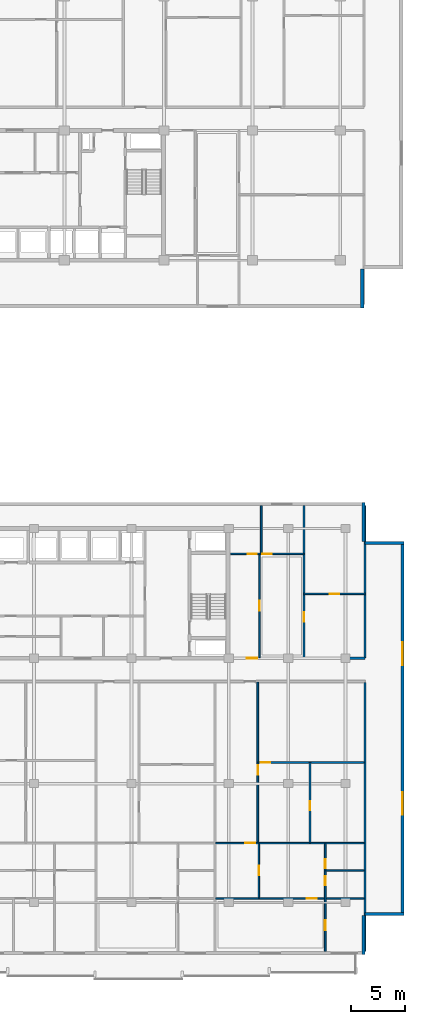
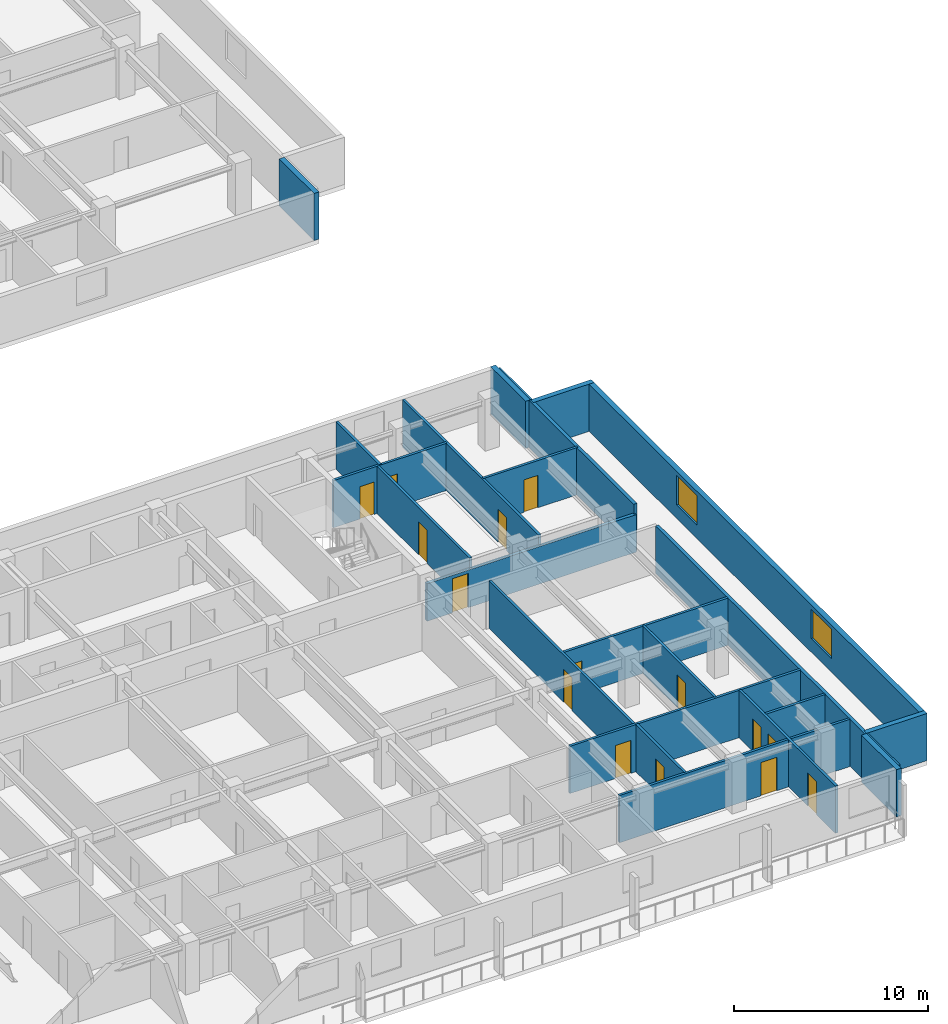
# One storey, part 10 of 22: 22 walls, 15 doors, 2 windows, 17 openings.
"""IFC4 building model written with IfcOpenShell, lengths in metres."""

from ifc_helpers import new_model, si_unit, direction, frame, frame_2d, origin, place, context, subcontext, project, spatial, rectangle, extrude, material, layer, layer_set, type_object, element, fill, save


model = new_model("IFC4")

# Units and contexts
model_context = context("Model", 3, precision=1e-05, world=origin(), true_north=direction((0.0, 1.0)))
body_context = subcontext(model_context, "Body", "Model", "MODEL_VIEW")
ifc_project = project(units=[si_unit("LENGTHUNIT", "METRE"), si_unit("AREAUNIT", "SQUARE_METRE"), si_unit("VOLUMEUNIT", "CUBIC_METRE"), si_unit("PLANEANGLEUNIT", "RADIAN"), si_unit("MASSUNIT", "GRAM", prefix="KILO")], contexts=[model_context])

# Site, building, storey
site_placement = place(None, origin())
site = spatial("IfcSite", under=ifc_project, at=site_placement, CompositionType="ELEMENT")
building_placement = place(site_placement, origin())
building = spatial("IfcBuilding", under=site, at=building_placement, Name="Korimba Cascade Residences", CompositionType="ELEMENT")
storey_placement = place(building_placement, frame((0.0, 0.0, 90.550048828125)))
storey = spatial("IfcBuildingStorey", under=building, at=storey_placement, Name="L25", CompositionType="ELEMENT", Elevation=90.550048828125)

# Walls
ifc_material_1 = material(Name="Precast concrete C40/50", Category="concrete")
ifc_layer_1 = layer(ifc_material_1, 0.300048828125)
ifc_layer_set_1 = layer_set([ifc_layer_1], Name="Precast concrete C40/50")
wall_type_1 = type_object("IfcWallType", Name="EW-STONE-300", PredefinedType="STANDARD", material=ifc_layer_set_1)
wall_1_placement = place(storey_placement, frame((130.449951171875, 50.800048828125, 0.0), z_axis=(0.0, 0.0, 1.0), x_axis=(0.0, 1.0, 0.0)))
element("IfcWall", 1, at=wall_1_placement, inside=storey, type_object=wall_type_1, Name="L25 T1 Perimeter Stone Wall E01", PredefinedType="STANDARD", context=body_context, shape_type="SweptSolid", body=[
    extrude(rectangle(XDim=3.599853515625, YDim=0.300048828125, at=frame_2d((1.7998046875, 0.0))), origin(), (0.0, 0.0, 1.0), 2.969970703125),
])
for number, where, z_axis, x_axis, name in (
    (2, (130.550048828125, -9.0, 0.0), (0.0, 0.0, 1.0), (0.0, 1.0, 0.0), "L25 T2 Perimeter Stone Wall E01"),
    (3, (130.699951171875, -5.25, 0.0), (0.0, 0.0, 1.0), (1.0, 0.0, 0.0), "L25 T2 Perimeter Stone Wall E02"),
):
    element("IfcWall", number, at=place(storey_placement, frame(where, z_axis=z_axis, x_axis=x_axis)), inside=storey, type_object=wall_type_1, Name=name, PredefinedType="STANDARD", context=body_context, shape_type="SweptSolid", body=[
        extrude(rectangle(XDim=3.60009765625, YDim=0.300048828125, at=frame_2d((1.800048828125, 0.0))), origin(), (0.0, 0.0, 1.0), 2.969970703125),
    ])

# Wall, openings, windows
wall_2_placement = place(storey_placement, frame((134.14990234375, -5.39990234375, 0.0), z_axis=(0.0, 0.0, 1.0), x_axis=(0.0, 1.0, 0.0)))
wall_2 = element("IfcWall", 4, at=wall_2_placement, inside=storey, type_object=wall_type_1, Name="L25 T2 Perimeter Stone Wall E03", PredefinedType="STANDARD", context=body_context, shape_type="SweptSolid", body=[
    extrude(rectangle(XDim=34.599853515625, YDim=0.300048828125, at=frame_2d((17.2998046875, 0.0))), origin(), (0.0, 0.0, 1.0), 2.969970703125),
])
opening_1_placement = place(wall_2_placement, frame((9.330078125, 0.0, 0.85009765625)))
opening_1 = element("IfcOpeningElement", 5, at=opening_1_placement, cuts=wall_2, Name="Opening W-03", PredefinedType="OPENING", context=body_context, shape_type="SweptSolid", body=[
    extrude(rectangle(XDim=2.10009765625, YDim=1.85009765625, at=frame_2d((1.050048828125, 0.925048828125))), frame((0.0, 0.16015625, 0.0), z_axis=(0.0, -1.0, 0.0), x_axis=(1.0, 0.0, 0.0)), (0.0, 0.0, 1.0), 0.320068359375),
])
opening_2_placement = place(wall_2_placement, frame((23.169921875, 0.0, 0.85009765625)))
opening_2 = element("IfcOpeningElement", 6, at=opening_2_placement, cuts=wall_2, Name="Opening W-03", PredefinedType="OPENING", context=body_context, shape_type="SweptSolid", body=[
    extrude(rectangle(XDim=2.10009765625, YDim=1.85009765625, at=frame_2d((1.050048828125, 0.925048828125))), frame((0.0, 0.16015625, 0.0), z_axis=(0.0, -1.0, 0.0), x_axis=(1.0, 0.0, 0.0)), (0.0, 0.0, 1.0), 0.320068359375),
])
ifc_material_2 = material(Name="Double-Glazed Aluminium Window", Category="aluminium")
window_type = type_object("IfcWindowType", Name="WIN-CRN-2100", PartitioningType="DOUBLE_PANEL_HORIZONTAL", PredefinedType="WINDOW", material=ifc_material_2)
window_1_placement = place(opening_1_placement, origin())
window_1 = element("IfcWindow", 7, at=window_1_placement, inside=storey, type_object=window_type, Name="L25 T2 End View Window 3.1", OverallHeight=1.85009765625, OverallWidth=2.10009765625, PartitioningType="DOUBLE_PANEL_HORIZONTAL", PredefinedType="WINDOW", context=body_context, shape_type="SweptSolid", body=[
    extrude(rectangle(XDim=2.10009765625, YDim=1.85009765625, at=frame_2d((1.050048828125, 0.925048828125))), frame((0.0, 0.030029296875, 0.0), z_axis=(0.0, -1.0, 0.0), x_axis=(1.0, 0.0, 0.0)), (0.0, 0.0, 1.0), 0.06005859375),
])
fill(opening_1, window_1)
window_2_placement = place(opening_2_placement, origin())
window_2 = element("IfcWindow", 8, at=window_2_placement, inside=storey, type_object=window_type, Name="L25 T2 End View Window 3.2", OverallHeight=1.85009765625, OverallWidth=2.10009765625, PartitioningType="DOUBLE_PANEL_HORIZONTAL", PredefinedType="WINDOW", context=body_context, shape_type="SweptSolid", body=[
    extrude(rectangle(XDim=2.10009765625, YDim=1.85009765625, at=frame_2d((1.050048828125, 0.925048828125))), frame((0.0, 0.030029296875, 0.0), z_axis=(0.0, -1.0, 0.0), x_axis=(1.0, 0.0, 0.0)), (0.0, 0.0, 1.0), 0.06005859375),
])
fill(opening_2, window_2)

# Walls
for number, where, z_axis, x_axis, name in (
    (9, (134.300048828125, 29.050048828125, 0.0), (0.0, 0.0, 1.0), (-1.0, 0.0, 0.0), "L25 T2 Perimeter Stone Wall E04"),
    (10, (130.550048828125, 29.199951171875, 0.0), (0.0, 0.0, 1.0), (0.0, 1.0, 0.0), "L25 T2 Perimeter Stone Wall E05"),
):
    element("IfcWall", number, at=place(storey_placement, frame(where, z_axis=z_axis, x_axis=x_axis)), inside=storey, type_object=wall_type_1, Name=name, PredefinedType="STANDARD", context=body_context, shape_type="SweptSolid", body=[
        extrude(rectangle(XDim=3.60009765625, YDim=0.300048828125, at=frame_2d((1.800048828125, 0.0))), origin(), (0.0, 0.0, 1.0), 2.969970703125),
    ])
ifc_layer_2 = layer(ifc_material_1, 0.199951171875)
ifc_layer_set_2 = layer_set([ifc_layer_2], Name="Precast concrete C40/50")
wall_type_2 = type_object("IfcWallType", Name="WAL-IT-200", PredefinedType="PARTITIONING", material=ifc_layer_set_2)
wall_3_placement = place(storey_placement, frame((130.699951171875, 18.39990234375, 0.0), z_axis=(0.0, 0.0, 1.0), x_axis=(0.0, 1.0, 0.0)))
element("IfcWall", 11, at=wall_3_placement, inside=storey, type_object=wall_type_2, Name="L25 Partition Wall WAL-L25-T2-FE-WR", PredefinedType="PARTITIONING", context=body_context, shape_type="SweptSolid", body=[
    extrude(rectangle(XDim=14.10009765625, YDim=0.199951171875, at=frame_2d((7.050048828125, 0.0))), origin(), (0.0, 0.0, 1.0), 2.969970703125),
])

# Wall, opening, door
wall_4_placement = place(storey_placement, frame((118.25, 18.39990234375, 0.0), z_axis=(0.0, 0.0, 1.0), x_axis=(1.0, 0.0, 0.0)))
wall_4 = element("IfcWall", 12, at=wall_4_placement, inside=storey, type_object=wall_type_2, Name="L25 Partition Wall WAL-L25-T2-FE-S", PredefinedType="PARTITIONING", context=body_context, shape_type="SweptSolid", body=[
    extrude(rectangle(XDim=12.449951171875, YDim=0.199951171875, at=frame_2d((6.22509765625, 0.0))), origin(), (0.0, 0.0, 1.0), 2.357666015625),
])
opening_3_placement = place(wall_4_placement, frame((1.510009765625, 0.0, 0.0)))
opening_3 = element("IfcOpeningElement", 13, at=opening_3_placement, cuts=wall_4, Name="Opening D-UN1", PredefinedType="OPENING", context=body_context, shape_type="SweptSolid", body=[
    extrude(rectangle(XDim=0.949951171875, YDim=2.14990234375, at=frame_2d((0.47509765625, 1.074951171875))), frame((0.0, 0.10986328125, 0.0), z_axis=(0.0, -1.0, 0.0), x_axis=(1.0, 0.0, 0.0)), (0.0, 0.0, 1.0), 0.219970703125),
])
ifc_material_3 = material(Name="Fire-Rated Hardwood Apartment Entrance Door", Category="wood")
door_type_1 = type_object("IfcDoorType", Name="DR-FD60-950", OperationType="NOTDEFINED", PredefinedType="DOOR", material=ifc_material_3)
door_1_placement = place(opening_3_placement, origin())
door_1 = element("IfcDoor", 14, at=door_1_placement, inside=storey, type_object=door_type_1, Name="L25-T2-FE Entrance Door", OperationType="SINGLE_SWING_RIGHT", OverallHeight=2.14990234375, OverallWidth=0.949951171875, PredefinedType="DOOR", context=body_context, shape_type="SweptSolid", body=[
    extrude(rectangle(XDim=0.949951171875, YDim=2.14990234375, at=frame_2d((0.47509765625, 1.074951171875))), frame((0.0, 0.02490234375, 0.0), z_axis=(0.0, -1.0, 0.0), x_axis=(1.0, 0.0, 0.0)), (0.0, 0.0, 1.0), 0.050048828125),
])
fill(opening_3, door_1)

# Wall
wall_5_placement = place(storey_placement, frame((130.699951171875, -8.699951171875, 0.0), z_axis=(0.0, 0.0, 1.0), x_axis=(0.0, 1.0, 0.0)))
element("IfcWall", 15, at=wall_5_placement, inside=storey, type_object=wall_type_2, Name="L25 Partition Wall WAL-L25-T2-BNDWR", PredefinedType="PARTITIONING", context=body_context, shape_type="SweptSolid", body=[
    extrude(rectangle(XDim=24.869873046875, YDim=0.199951171875, at=frame_2d((12.43505859375, 0.0))), origin(), (0.0, 0.0, 1.0), 2.969970703125),
])

# Wall, opening, door
ifc_material_4 = material(Name="Insulated Acoustic Stud Partition", Category="gypsum")
ifc_layer_3 = layer(ifc_material_4, 0.14990234375)
ifc_layer_set_3 = layer_set([ifc_layer_3], Name="Insulated Acoustic Stud Partition")
wall_type_3 = type_object("IfcWallType", Name="WAL-PART-150", PredefinedType="PARTITIONING", material=ifc_layer_set_3)
wall_6_placement = place(storey_placement, frame((125.050048828125, 24.35009765625, 0.0), z_axis=(0.0, 0.0, 1.0), x_axis=(1.0, 0.0, 0.0)))
wall_6 = element("IfcWall", 16, at=wall_6_placement, inside=storey, type_object=wall_type_3, Name="L25 Partition Wall WAL-L25-T2-FE-STH", PredefinedType="PARTITIONING", context=body_context, shape_type="SweptSolid", body=[
    extrude(rectangle(XDim=5.64990234375, YDim=0.14990234375, at=frame_2d((2.824951171875, 0.0))), origin(), (0.0, 0.0, 1.0), 2.969970703125),
])
opening_4_placement = place(wall_6_placement, frame((2.405029296875, 0.0, 0.0)))
opening_4 = element("IfcOpeningElement", 17, at=opening_4_placement, cuts=wall_6, Name="Opening D-BT1", PredefinedType="OPENING", context=body_context, shape_type="SweptSolid", body=[
    extrude(rectangle(XDim=0.840087890625, YDim=2.0400390625, at=frame_2d((0.419921875, 1.02001953125))), frame((0.0, 0.0849609375, 0.0), z_axis=(0.0, -1.0, 0.0), x_axis=(1.0, 0.0, 0.0)), (0.0, 0.0, 1.0), 0.169921875),
])
ifc_material_5 = material(Name="Moisture-Resistant Bathroom Timber Door", Category="wood")
door_type_2 = type_object("IfcDoorType", Name="DR-INT-850", OperationType="NOTDEFINED", PredefinedType="DOOR", material=ifc_material_5)
door_2_placement = place(opening_4_placement, origin())
door_2 = element("IfcDoor", 18, at=door_2_placement, inside=storey, type_object=door_type_2, Name="L25-T2-FE Dressing Store Door", OperationType="SINGLE_SWING_LEFT", OverallHeight=2.0400390625, OverallWidth=0.840087890625, PredefinedType="DOOR", context=body_context, shape_type="SweptSolid", body=[
    extrude(rectangle(XDim=0.840087890625, YDim=2.0400390625, at=frame_2d((0.419921875, 1.02001953125))), frame((0.0, 0.02490234375, 0.0), z_axis=(0.0, -1.0, 0.0), x_axis=(1.0, 0.0, 0.0)), (0.0, 0.0, 1.0), 0.050048828125),
])
fill(opening_4, door_2)

wall_7_placement = place(storey_placement, frame((125.050048828125, 18.449951171875, 0.0), z_axis=(0.0, 0.0, 1.0), x_axis=(0.0, 1.0, 0.0)))
wall_7 = element("IfcWall", 19, at=wall_7_placement, inside=storey, type_object=wall_type_3, Name="L25 Partition Wall WAL-L25-T2-FE-STV", PredefinedType="PARTITIONING", context=body_context, shape_type="SweptSolid", body=[
    extrude(rectangle(XDim=14.050048828125, YDim=0.14990234375, at=frame_2d((7.02490234375, 0.0))), origin(), (0.0, 0.0, 1.0), 2.969970703125),
])
opening_5_placement = place(wall_7_placement, frame((3.320068359375, 0.0, 0.0)))
opening_5 = element("IfcOpeningElement", 20, at=opening_5_placement, cuts=wall_7, Name="Opening D-IN2", PredefinedType="OPENING", context=body_context, shape_type="SweptSolid", body=[
    extrude(rectangle(XDim=0.8798828125, YDim=2.06005859375, at=frame_2d((0.43994140625, 1.030029296875))), frame((0.0, 0.0849609375, 0.0), z_axis=(0.0, -1.0, 0.0), x_axis=(1.0, 0.0, 0.0)), (0.0, 0.0, 1.0), 0.169921875),
])
ifc_material_6 = material(Name="Acoustic Timber Bedroom Door", Category="wood")
door_type_3 = type_object("IfcDoorType", Name="DR-INT-880", OperationType="NOTDEFINED", PredefinedType="DOOR", material=ifc_material_6)
door_3_placement = place(opening_5_placement, origin())
door_3 = element("IfcDoor", 21, at=door_3_placement, inside=storey, type_object=door_type_3, Name="L25-T2-FE Study Door", OperationType="SINGLE_SWING_RIGHT", OverallHeight=2.06005859375, OverallWidth=0.8798828125, PredefinedType="DOOR", context=body_context, shape_type="SweptSolid", body=[
    extrude(rectangle(XDim=0.8798828125, YDim=2.06005859375, at=frame_2d((0.43994140625, 1.030029296875))), frame((0.0, 0.02490234375, 0.0), z_axis=(0.0, -1.0, 0.0), x_axis=(1.0, 0.0, 0.0)), (0.0, 0.0, 1.0), 0.050048828125),
])
fill(opening_5, door_3)

wall_8_placement = place(storey_placement, frame((120.929931640625, 18.449951171875, 0.0), z_axis=(0.0, 0.0, 1.0), x_axis=(0.0, 1.0, 0.0)))
wall_8 = element("IfcWall", 22, at=wall_8_placement, inside=storey, type_object=wall_type_3, Name="L25 Partition Wall WAL-L25-T2-FE-VS", PredefinedType="PARTITIONING", context=body_context, shape_type="SweptSolid", body=[
    extrude(rectangle(XDim=9.60009765625, YDim=0.14990234375, at=frame_2d((4.800048828125, 0.0))), origin(), (0.0, 0.0, 1.0), 2.969970703125),
])
opening_6_placement = place(wall_8_placement, frame((4.340087890625, 0.0, 0.0)))
opening_6 = element("IfcOpeningElement", 23, at=opening_6_placement, cuts=wall_8, Name="Opening D-IN1", PredefinedType="OPENING", context=body_context, shape_type="SweptSolid", body=[
    extrude(rectangle(XDim=0.919921875, YDim=2.080078125, at=frame_2d((0.4599609375, 1.0400390625))), frame((0.0, 0.0849609375, 0.0), z_axis=(0.0, -1.0, 0.0), x_axis=(1.0, 0.0, 0.0)), (0.0, 0.0, 1.0), 0.169921875),
])
ifc_material_7 = material(Name="Acoustic Timber Living Door", Category="wood")
door_type_4 = type_object("IfcDoorType", Name="DR-INT-920", OperationType="NOTDEFINED", PredefinedType="DOOR", material=ifc_material_7)
door_4_placement = place(opening_6_placement, origin())
door_4 = element("IfcDoor", 24, at=door_4_placement, inside=storey, type_object=door_type_4, Name="L25-T2-FE Living Door", OperationType="SINGLE_SWING_LEFT", OverallHeight=2.080078125, OverallWidth=0.919921875, PredefinedType="DOOR", context=body_context, shape_type="SweptSolid", body=[
    extrude(rectangle(XDim=0.919921875, YDim=2.080078125, at=frame_2d((0.4599609375, 1.0400390625))), frame((0.0, 0.02490234375, 0.0), z_axis=(0.0, -1.0, 0.0), x_axis=(1.0, 0.0, 0.0)), (0.0, 0.0, 1.0), 0.050048828125),
])
fill(opening_6, door_4)

# Wall
wall_9_placement = place(storey_placement, frame((121.10009765625, 28.050048828125, 0.0), z_axis=(0.0, 0.0, 1.0), x_axis=(0.0, 1.0, 0.0)))
element("IfcWall", 25, at=wall_9_placement, inside=storey, type_object=wall_type_3, Name="L25 Partition Wall WAL-L25-T2-FE-VN", PredefinedType="PARTITIONING", context=body_context, shape_type="SweptSolid", body=[
    extrude(rectangle(XDim=4.449951171875, YDim=0.14990234375, at=frame_2d((2.22509765625, 0.0))), origin(), (0.0, 0.0, 1.0), 2.969970703125),
])

# Wall, openings, doors
wall_10_placement = place(storey_placement, frame((118.27001953125, 28.050048828125, 0.0), z_axis=(0.0, 0.0, 1.0), x_axis=(1.0, 0.0, 0.0)))
wall_10 = element("IfcWall", 26, at=wall_10_placement, inside=storey, type_object=wall_type_3, Name="L25 Partition Wall WAL-L25-T2-FE-H", PredefinedType="PARTITIONING", context=body_context, shape_type="SweptSolid", body=[
    extrude(rectangle(XDim=6.760009765625, YDim=0.14990234375, at=frame_2d((3.3798828125, 0.0))), origin(), (0.0, 0.0, 1.0), 2.969970703125),
])
opening_7_placement = place(wall_10_placement, frame((1.58740234375, 0.0, 0.0)))
opening_7 = element("IfcOpeningElement", 27, at=opening_7_placement, cuts=wall_10, Name="Opening D-BT1", PredefinedType="OPENING", context=body_context, shape_type="SweptSolid", body=[
    extrude(rectangle(XDim=0.840087890625, YDim=2.0400390625, at=frame_2d((0.419921875, 1.02001953125))), frame((0.0, 0.0849609375, 0.0), z_axis=(0.0, -1.0, 0.0), x_axis=(1.0, 0.0, 0.0)), (0.0, 0.0, 1.0), 0.169921875),
])
opening_8_placement = place(wall_10_placement, frame((2.93994140625, 0.0, 0.0)))
opening_8 = element("IfcOpeningElement", 28, at=opening_8_placement, cuts=wall_10, Name="Opening D-IN2", PredefinedType="OPENING", context=body_context, shape_type="SweptSolid", body=[
    extrude(rectangle(XDim=0.8798828125, YDim=2.06005859375, at=frame_2d((0.43994140625, 1.030029296875))), frame((0.0, 0.0849609375, 0.0), z_axis=(0.0, -1.0, 0.0), x_axis=(1.0, 0.0, 0.0)), (0.0, 0.0, 1.0), 0.169921875),
])
door_5_placement = place(opening_7_placement, origin())
door_5 = element("IfcDoor", 29, at=door_5_placement, inside=storey, type_object=door_type_2, Name="L25-T2-FE Bathroom Door", OperationType="SINGLE_SWING_RIGHT", OverallHeight=2.0400390625, OverallWidth=0.840087890625, PredefinedType="DOOR", context=body_context, shape_type="SweptSolid", body=[
    extrude(rectangle(XDim=0.840087890625, YDim=2.0400390625, at=frame_2d((0.419921875, 1.02001953125))), frame((0.0, 0.02490234375, 0.0), z_axis=(0.0, -1.0, 0.0), x_axis=(1.0, 0.0, 0.0)), (0.0, 0.0, 1.0), 0.050048828125),
])
fill(opening_7, door_5)
door_6_placement = place(opening_8_placement, origin())
door_6 = element("IfcDoor", 30, at=door_6_placement, inside=storey, type_object=door_type_3, Name="L25-T2-FE Bedroom Door", OperationType="SINGLE_SWING_LEFT", OverallHeight=2.06005859375, OverallWidth=0.8798828125, PredefinedType="DOOR", context=body_context, shape_type="SweptSolid", body=[
    extrude(rectangle(XDim=0.8798828125, YDim=2.06005859375, at=frame_2d((0.43994140625, 1.030029296875))), frame((0.0, 0.02490234375, 0.0), z_axis=(0.0, -1.0, 0.0), x_axis=(1.0, 0.0, 0.0)), (0.0, 0.0, 1.0), 0.050048828125),
])
fill(opening_8, door_6)

# Wall, opening, door
wall_11_placement = place(storey_placement, frame((125.611083984375, 1.340087890625, 0.0), z_axis=(0.0, 0.0, 1.0), x_axis=(0.0, 1.0, 0.0)))
wall_11 = element("IfcWall", 31, at=wall_11_placement, inside=storey, type_object=wall_type_3, Name="L25 Partition Wall WAL-L25-T2-U04-FMV", PredefinedType="PARTITIONING", context=body_context, shape_type="SweptSolid", body=[
    extrude(rectangle(XDim=7.4248046875, YDim=0.14990234375, at=frame_2d((3.71240234375, 0.0))), origin(), (0.0, 0.0, 1.0), 2.969970703125),
])
opening_9_placement = place(wall_11_placement, frame((2.9833984375, 0.0, 0.0)))
opening_9 = element("IfcOpeningElement", 32, at=opening_9_placement, cuts=wall_11, Name="Opening D-BT1", PredefinedType="OPENING", context=body_context, shape_type="SweptSolid", body=[
    extrude(rectangle(XDim=0.840087890625, YDim=2.0400390625, at=frame_2d((0.419921875, 1.02001953125))), frame((0.0, 0.0849609375, 0.0), z_axis=(0.0, -1.0, 0.0), x_axis=(1.0, 0.0, 0.0)), (0.0, 0.0, 1.0), 0.169921875),
])
door_7_placement = place(opening_9_placement, origin())
door_7 = element("IfcDoor", 33, at=door_7_placement, inside=storey, type_object=door_type_2, Name="L25-T2-U04 Wardrobe Door", OperationType="SINGLE_SWING_RIGHT", OverallHeight=2.0400390625, OverallWidth=0.840087890625, PredefinedType="DOOR", context=body_context, shape_type="SweptSolid", body=[
    extrude(rectangle(XDim=0.840087890625, YDim=2.0400390625, at=frame_2d((0.419921875, 1.02001953125))), frame((0.0, 0.02490234375, 0.0), z_axis=(0.0, -1.0, 0.0), x_axis=(1.0, 0.0, 0.0)), (0.0, 0.0, 1.0), 0.050048828125),
])
fill(opening_9, door_7)

wall_12_placement = place(storey_placement, frame((120.84228515625, 8.764892578125, 0.0), z_axis=(0.0, 0.0, 1.0), x_axis=(1.0, 0.0, 0.0)))
wall_12 = element("IfcWall", 34, at=wall_12_placement, inside=storey, type_object=wall_type_3, Name="L25 Partition Wall WAL-L25-T2-U04-FMH", PredefinedType="PARTITIONING", context=body_context, shape_type="SweptSolid", body=[
    extrude(rectangle(XDim=9.77783203125, YDim=0.14990234375, at=frame_2d((4.888916015625, 0.0))), origin(), (0.0, 0.0, 1.0), 2.969970703125),
])
opening_10_placement = place(wall_12_placement, frame((0.199951171875, 0.0, 0.0)))
opening_10 = element("IfcOpeningElement", 35, at=opening_10_placement, cuts=wall_12, Name="Opening D-IN2", PredefinedType="OPENING", context=body_context, shape_type="SweptSolid", body=[
    extrude(rectangle(XDim=0.8798828125, YDim=2.06005859375, at=frame_2d((0.43994140625, 1.030029296875))), frame((0.0, 0.0849609375, 0.0), z_axis=(0.0, -1.0, 0.0), x_axis=(1.0, 0.0, 0.0)), (0.0, 0.0, 1.0), 0.169921875),
])
door_8_placement = place(opening_10_placement, origin())
door_8 = element("IfcDoor", 36, at=door_8_placement, inside=storey, type_object=door_type_3, Name="L25-T2-U04 Library Salon Door", OperationType="SINGLE_SWING_LEFT", OverallHeight=2.06005859375, OverallWidth=0.8798828125, PredefinedType="DOOR", context=body_context, shape_type="SweptSolid", body=[
    extrude(rectangle(XDim=0.8798828125, YDim=2.06005859375, at=frame_2d((0.43994140625, 1.030029296875))), frame((0.0, 0.02490234375, 0.0), z_axis=(0.0, -1.0, 0.0), x_axis=(1.0, 0.0, 0.0)), (0.0, 0.0, 1.0), 0.050048828125),
])
fill(opening_10, door_8)

wall_13_placement = place(storey_placement, frame((120.782470703125, 1.340087890625, 0.0), z_axis=(0.0, 0.0, 1.0), x_axis=(0.0, 1.0, 0.0)))
wall_13 = element("IfcWall", 37, at=wall_13_placement, inside=storey, type_object=wall_type_3, Name="L25 Partition Wall WAL-L25-T2-U04-FV", PredefinedType="PARTITIONING", context=body_context, shape_type="SweptSolid", body=[
    extrude(rectangle(XDim=14.849853515625, YDim=0.14990234375, at=frame_2d((7.4248046875, 0.0))), origin(), (0.0, 0.0, 1.0), 2.969970703125),
])
opening_11_placement = place(wall_13_placement, frame((6.294921875, 0.0, 0.0)))
opening_11 = element("IfcOpeningElement", 38, at=opening_11_placement, cuts=wall_13, Name="Opening D-IN2", PredefinedType="OPENING", context=body_context, shape_type="SweptSolid", body=[
    extrude(rectangle(XDim=0.8798828125, YDim=2.06005859375, at=frame_2d((0.43994140625, 1.030029296875))), frame((0.0, 0.0849609375, 0.0), z_axis=(0.0, -1.0, 0.0), x_axis=(1.0, 0.0, 0.0)), (0.0, 0.0, 1.0), 0.169921875),
])
door_9_placement = place(opening_11_placement, origin())
door_9 = element("IfcDoor", 39, at=door_9_placement, inside=storey, type_object=door_type_3, Name="L25-T2-U04 Media Lounge Door", OperationType="SINGLE_SWING_RIGHT", OverallHeight=2.06005859375, OverallWidth=0.8798828125, PredefinedType="DOOR", context=body_context, shape_type="SweptSolid", body=[
    extrude(rectangle(XDim=0.8798828125, YDim=2.06005859375, at=frame_2d((0.43994140625, 1.030029296875))), frame((0.0, 0.02490234375, 0.0), z_axis=(0.0, -1.0, 0.0), x_axis=(1.0, 0.0, 0.0)), (0.0, 0.0, 1.0), 0.050048828125),
])
fill(opening_11, door_9)

wall_14_placement = place(storey_placement, frame((120.88232421875, -3.739990234375, 0.0), z_axis=(0.0, 0.0, 1.0), x_axis=(0.0, 1.0, 0.0)))
wall_14 = element("IfcWall", 40, at=wall_14_placement, inside=storey, type_object=wall_type_3, Name="L25 Partition Wall WAL-L25-T2-U04-VDIN", PredefinedType="PARTITIONING", context=body_context, shape_type="SweptSolid", body=[
    extrude(rectangle(XDim=5.0, YDim=0.14990234375, at=frame_2d((2.5, 0.0))), origin(), (0.0, 0.0, 1.0), 2.969970703125),
])
opening_12_placement = place(wall_14_placement, frame((2.06005859375, 0.0, 0.0)))
opening_12 = element("IfcOpeningElement", 41, at=opening_12_placement, cuts=wall_14, Name="Opening D-IN2", PredefinedType="OPENING", context=body_context, shape_type="SweptSolid", body=[
    extrude(rectangle(XDim=0.8798828125, YDim=2.06005859375, at=frame_2d((0.43994140625, 1.030029296875))), frame((0.0, 0.0849609375, 0.0), z_axis=(0.0, -1.0, 0.0), x_axis=(1.0, 0.0, 0.0)), (0.0, 0.0, 1.0), 0.169921875),
])
door_10_placement = place(opening_12_placement, origin())
door_10 = element("IfcDoor", 42, at=door_10_placement, inside=storey, type_object=door_type_3, Name="L25-T2-U04 Dining Room Door", OperationType="SINGLE_SWING_LEFT", OverallHeight=2.06005859375, OverallWidth=0.8798828125, PredefinedType="DOOR", context=body_context, shape_type="SweptSolid", body=[
    extrude(rectangle(XDim=0.8798828125, YDim=2.06005859375, at=frame_2d((0.43994140625, 1.030029296875))), frame((0.0, 0.02490234375, 0.0), z_axis=(0.0, -1.0, 0.0), x_axis=(1.0, 0.0, 0.0)), (0.0, 0.0, 1.0), 0.050048828125),
])
fill(opening_12, door_10)

# Wall
wall_15_placement = place(storey_placement, frame((127.080078125, -1.239990234375, 0.0), z_axis=(0.0, 0.0, 1.0), x_axis=(1.0, 0.0, 0.0)))
element("IfcWall", 43, at=wall_15_placement, inside=storey, type_object=wall_type_3, Name="L25 Partition Wall WAL-L25-T2-U04-BLDIV", PredefinedType="PARTITIONING", context=body_context, shape_type="SweptSolid", body=[
    extrude(rectangle(XDim=3.5400390625, YDim=0.14990234375, at=frame_2d((1.77001953125, 0.0))), origin(), (0.0, 0.0, 1.0), 2.969970703125),
])

# Wall, openings, doors
wall_16_placement = place(storey_placement, frame((127.02001953125, -8.699951171875, 0.0), z_axis=(0.0, 0.0, 1.0), x_axis=(0.0, 1.0, 0.0)))
wall_16 = element("IfcWall", 44, at=wall_16_placement, inside=storey, type_object=wall_type_3, Name="L25 Partition Wall WAL-L25-T2-U04-V1", PredefinedType="PARTITIONING", context=body_context, shape_type="SweptSolid", body=[
    extrude(rectangle(XDim=9.9599609375, YDim=0.14990234375, at=frame_2d((4.97998046875, 0.0))), origin(), (0.0, 0.0, 1.0), 2.969970703125),
])
opening_13_placement = place(wall_16_placement, frame((6.11767578125, 0.0, 0.0)))
opening_13 = element("IfcOpeningElement", 45, at=opening_13_placement, cuts=wall_16, Name="Opening D-BT1", PredefinedType="OPENING", context=body_context, shape_type="SweptSolid", body=[
    extrude(rectangle(XDim=0.840087890625, YDim=2.0400390625, at=frame_2d((0.419921875, 1.02001953125))), frame((0.0, 0.0849609375, 0.0), z_axis=(0.0, -1.0, 0.0), x_axis=(1.0, 0.0, 0.0)), (0.0, 0.0, 1.0), 0.169921875),
])
opening_14_placement = place(wall_16_placement, frame((7.689697265625, 0.0, 0.0)))
opening_14 = element("IfcOpeningElement", 46, at=opening_14_placement, cuts=wall_16, Name="Opening D-BT1", PredefinedType="OPENING", context=body_context, shape_type="SweptSolid", body=[
    extrude(rectangle(XDim=0.840087890625, YDim=2.0400390625, at=frame_2d((0.419921875, 1.02001953125))), frame((0.0, 0.0849609375, 0.0), z_axis=(0.0, -1.0, 0.0), x_axis=(1.0, 0.0, 0.0)), (0.0, 0.0, 1.0), 0.169921875),
])
opening_15_placement = place(wall_16_placement, frame((1.972412109375, 0.0, 0.0)))
opening_15 = element("IfcOpeningElement", 47, at=opening_15_placement, cuts=wall_16, Name="Opening D-IN2", PredefinedType="OPENING", context=body_context, shape_type="SweptSolid", body=[
    extrude(rectangle(XDim=0.8798828125, YDim=2.06005859375, at=frame_2d((0.43994140625, 1.030029296875))), frame((0.0, 0.0849609375, 0.0), z_axis=(0.0, -1.0, 0.0), x_axis=(1.0, 0.0, 0.0)), (0.0, 0.0, 1.0), 0.169921875),
])
door_11_placement = place(opening_13_placement, origin())
door_11 = element("IfcDoor", 48, at=door_11_placement, inside=storey, type_object=door_type_2, Name="L25-T2-U04 Bathroom Door", OperationType="SINGLE_SWING_RIGHT", OverallHeight=2.0400390625, OverallWidth=0.840087890625, PredefinedType="DOOR", context=body_context, shape_type="SweptSolid", body=[
    extrude(rectangle(XDim=0.840087890625, YDim=2.0400390625, at=frame_2d((0.419921875, 1.02001953125))), frame((0.0, 0.02490234375, 0.0), z_axis=(0.0, -1.0, 0.0), x_axis=(1.0, 0.0, 0.0)), (0.0, 0.0, 1.0), 0.050048828125),
])
fill(opening_13, door_11)
door_12_placement = place(opening_14_placement, origin())
door_12 = element("IfcDoor", 49, at=door_12_placement, inside=storey, type_object=door_type_2, Name="L25-T2-U04 Laundry Door", OperationType="SINGLE_SWING_LEFT", OverallHeight=2.0400390625, OverallWidth=0.840087890625, PredefinedType="DOOR", context=body_context, shape_type="SweptSolid", body=[
    extrude(rectangle(XDim=0.840087890625, YDim=2.0400390625, at=frame_2d((0.419921875, 1.02001953125))), frame((0.0, 0.02490234375, 0.0), z_axis=(0.0, -1.0, 0.0), x_axis=(1.0, 0.0, 0.0)), (0.0, 0.0, 1.0), 0.050048828125),
])
fill(opening_14, door_12)
door_13_placement = place(opening_15_placement, origin())
door_13 = element("IfcDoor", 50, at=door_13_placement, inside=storey, type_object=door_type_3, Name="L25-T2-U04 Bedroom 1 Door", OperationType="SINGLE_SWING_RIGHT", OverallHeight=2.06005859375, OverallWidth=0.8798828125, PredefinedType="DOOR", context=body_context, shape_type="SweptSolid", body=[
    extrude(rectangle(XDim=0.8798828125, YDim=2.06005859375, at=frame_2d((0.43994140625, 1.030029296875))), frame((0.0, 0.02490234375, 0.0), z_axis=(0.0, -1.0, 0.0), x_axis=(1.0, 0.0, 0.0)), (0.0, 0.0, 1.0), 0.050048828125),
])
fill(opening_15, door_13)

# Wall, opening, door
wall_17_placement = place(storey_placement, frame((116.892333984375, 1.300048828125, 0.0), z_axis=(0.0, 0.0, 1.0), x_axis=(1.0, 0.0, 0.0)))
wall_17 = element("IfcWall", 51, at=wall_17_placement, inside=storey, type_object=wall_type_3, Name="L25 Partition Wall WAL-L25-T2-U04-MW", PredefinedType="PARTITIONING", context=body_context, shape_type="SweptSolid", body=[
    extrude(rectangle(XDim=13.727783203125, YDim=0.14990234375, at=frame_2d((6.86376953125, 0.0))), origin(), (0.0, 0.0, 1.0), 2.969970703125),
])
opening_16_placement = place(wall_17_placement, frame((2.719970703125, 0.0, 0.0)))
opening_16 = element("IfcOpeningElement", 52, at=opening_16_placement, cuts=wall_17, Name="Opening D-IN1", PredefinedType="OPENING", context=body_context, shape_type="SweptSolid", body=[
    extrude(rectangle(XDim=0.919921875, YDim=2.080078125, at=frame_2d((0.4599609375, 1.0400390625))), frame((0.0, 0.0849609375, 0.0), z_axis=(0.0, -1.0, 0.0), x_axis=(1.0, 0.0, 0.0)), (0.0, 0.0, 1.0), 0.169921875),
])
door_14_placement = place(opening_16_placement, origin())
door_14 = element("IfcDoor", 53, at=door_14_placement, inside=storey, type_object=door_type_4, Name="L25-T2-U04 Kitchen Archway Door", OperationType="SINGLE_SWING_LEFT", OverallHeight=2.080078125, OverallWidth=0.919921875, PredefinedType="DOOR", context=body_context, shape_type="SweptSolid", body=[
    extrude(rectangle(XDim=0.919921875, YDim=2.080078125, at=frame_2d((0.4599609375, 1.0400390625))), frame((0.0, 0.02490234375, 0.0), z_axis=(0.0, -1.0, 0.0), x_axis=(1.0, 0.0, 0.0)), (0.0, 0.0, 1.0), 0.050048828125),
])
fill(opening_16, door_14)

wall_18_placement = place(storey_placement, frame((116.892333984375, -3.800048828125, 0.0), z_axis=(0.0, 0.0, 1.0), x_axis=(1.0, 0.0, 0.0)))
wall_18 = element("IfcWall", 54, at=wall_18_placement, inside=storey, type_object=wall_type_3, Name="L25 Partition Wall WAL-L25-T2-U04-HZ", PredefinedType="PARTITIONING", context=body_context, shape_type="SweptSolid", body=[
    extrude(rectangle(XDim=13.727783203125, YDim=0.14990234375, at=frame_2d((6.86376953125, 0.0))), origin(), (0.0, 0.0, 1.0), 2.969970703125),
])
opening_17_placement = place(wall_18_placement, frame((8.416259765625, 0.0, 0.0)))
opening_17 = element("IfcOpeningElement", 55, at=opening_17_placement, cuts=wall_18, Name="Opening D-IN0", PredefinedType="OPENING", context=body_context, shape_type="SweptSolid", body=[
    extrude(rectangle(XDim=0.93994140625, YDim=2.10009765625, at=frame_2d((0.469970703125, 1.050048828125))), frame((0.0, 0.0849609375, 0.0), z_axis=(0.0, -1.0, 0.0), x_axis=(1.0, 0.0, 0.0)), (0.0, 0.0, 1.0), 0.169921875),
])
ifc_material_8 = material(Name="Acoustic Timber Living Archway Door", Category="wood")
door_type_5 = type_object("IfcDoorType", Name="DR-INT-950", OperationType="NOTDEFINED", PredefinedType="DOOR", material=ifc_material_8)
door_15_placement = place(opening_17_placement, origin())
door_15 = element("IfcDoor", 56, at=door_15_placement, inside=storey, type_object=door_type_5, Name="L25-T2-U04 Living Archway Door", OperationType="SINGLE_SWING_RIGHT", OverallHeight=2.10009765625, OverallWidth=0.93994140625, PredefinedType="DOOR", context=body_context, shape_type="SweptSolid", body=[
    extrude(rectangle(XDim=0.93994140625, YDim=2.10009765625, at=frame_2d((0.469970703125, 1.050048828125))), frame((0.0, 0.02490234375, 0.0), z_axis=(0.0, -1.0, 0.0), x_axis=(1.0, 0.0, 0.0)), (0.0, 0.0, 1.0), 0.050048828125),
])
fill(opening_17, door_15)

save(model, "model.ifc")
